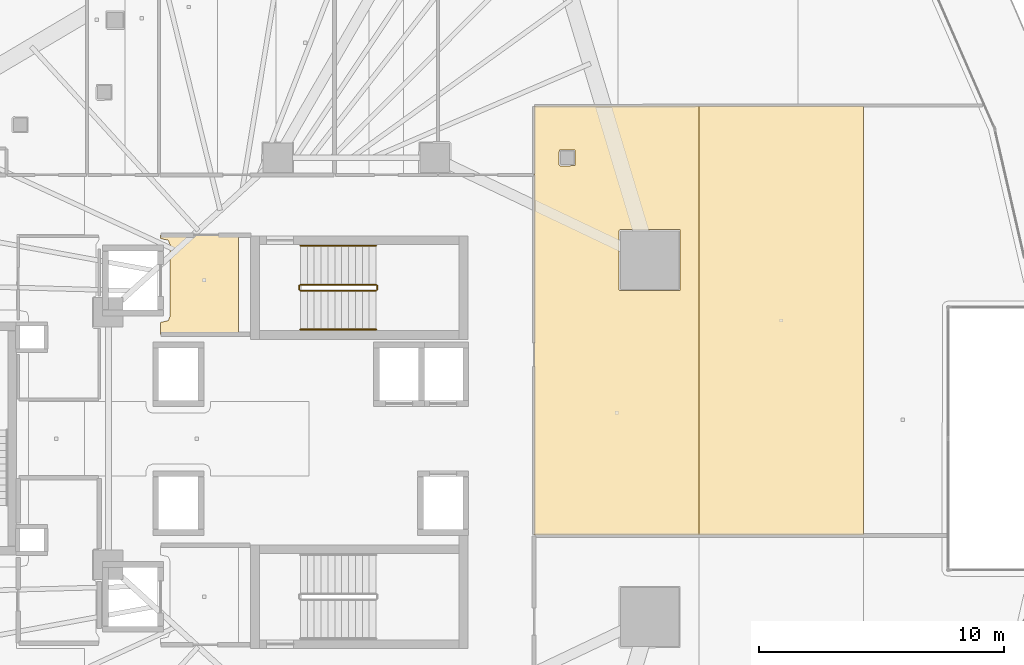
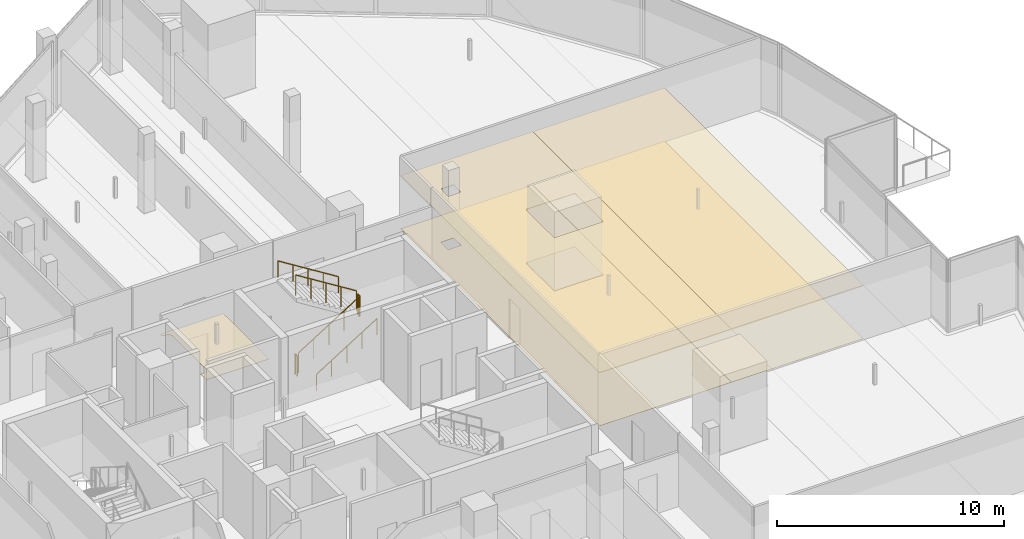
# One storey, part 43 of 44: 6 railings, 5 coverings.
"""IFC4 building model written with IfcOpenShell, lengths in metres."""

from ifc_helpers import new_model, si_unit, direction, frame, origin, origin_2d, place, context, subcontext, project, spatial, polyline, circle, outline, extrude, material, layer, layer_set, type_object, element, save


model = new_model("IFC4")

# Units and contexts
model_context = context("Model", 3, precision=1e-05, world=origin(), true_north=direction((0.0, 1.0)))
body_context = subcontext(model_context, "Body", "Model", "MODEL_VIEW")
ifc_project = project(units=[si_unit("LENGTHUNIT", "METRE"), si_unit("AREAUNIT", "SQUARE_METRE"), si_unit("VOLUMEUNIT", "CUBIC_METRE"), si_unit("PLANEANGLEUNIT", "RADIAN"), si_unit("MASSUNIT", "GRAM", prefix="KILO")], contexts=[model_context])

# Site, building, storey
site_placement = place(None, origin())
site = spatial("IfcSite", under=ifc_project, at=site_placement, CompositionType="ELEMENT")
building_placement = place(site_placement, origin())
building = spatial("IfcBuilding", under=site, at=building_placement, Name="Qorvath Tower", CompositionType="ELEMENT")
storey_placement = place(building_placement, frame((0.0, 0.0, 45.0)))
storey = spatial("IfcBuildingStorey", under=building, at=storey_placement, Name="L09", CompositionType="ELEMENT", Elevation=45.0)

# Coverings
ifc_material_1 = material(Name="Acoustic mineral fibre ceiling tile", Category="gypsum")
ifc_layer_1 = layer(ifc_material_1, 0.030029296875)
ifc_layer_set_1 = layer_set([ifc_layer_1], Name="COV-CEIL")
covering_type_1 = type_object("IfcCoveringType", Name="COV-CEIL", PredefinedType="CEILING", material=ifc_layer_set_1)
covering_1_placement = place(storey_placement, frame((0.0, 0.0, 2.85009765625)))
element("IfcCovering", 1, at=covering_1_placement, inside=storey, type_object=covering_type_1, Name="L09 Suspended Acoustic Ceiling 001", PredefinedType="CEILING", context=body_context, shape_type="SweptSolid", body=[
    extrude(outline(polyline([(-25.18994140625, 4.2548828125), (-25.18994140625, 8.294921875), (-28.375, 8.294921875), (-28.375, 8.159912109375), (-28.063232421875, 8.086669921875), (-27.989990234375, 7.909912109375), (-27.989990234375, 4.989990234375), (-28.063232421875, 4.813232421875), (-28.375, 4.739990234375), (-28.375, 4.2548828125), (-25.18994140625, 4.2548828125)])), origin(), (0.0, 0.0, 1.0), 0.030029296875),
])
covering_2_placement = place(storey_placement, frame((0.0, 0.0, 2.85009765625)))
element("IfcCovering", 2, at=covering_2_placement, inside=storey, type_object=covering_type_1, Name="L09 Suspended Acoustic Ceiling 036", PredefinedType="CEILING", context=body_context, shape_type="SweptSolid", body=[
    extrude(outline(polyline([(-6.4267578125, -3.92822265625), (-6.4267578125, 13.56201171875), (-13.136962890625, 13.5537109375), (-13.136962890625, -3.92822265625), (-6.4267578125, -3.92822265625)]), holes=[polyline([(-9.690185546875, 8.476318359375), (-9.63037109375, 8.536376953125), (-7.18798828125, 8.518798828125), (-7.18798828125, 6.033935546875), (-9.672607421875, 6.033935546875), (-9.690185546875, 8.476318359375)]), polyline([(-12.135009765625, 11.175048828125), (-12.117431640625, 11.767333984375), (-11.482666015625, 11.767333984375), (-11.482666015625, 11.132568359375), (-12.074951171875, 11.114990234375), (-12.135009765625, 11.175048828125)])]), origin(), (0.0, 0.0, 1.0), 0.030029296875),
])
covering_3_placement = place(storey_placement, frame((0.0, 0.0, 2.85009765625)))
element("IfcCovering", 3, at=covering_3_placement, inside=storey, type_object=covering_type_1, Name="L09 Suspended Acoustic Ceiling 037", PredefinedType="CEILING", context=body_context, shape_type="SweptSolid", body=[
    extrude(outline(polyline([(0.283447265625, -3.92822265625), (0.283447265625, 13.5703125), (-6.4267578125, 13.56201171875), (-6.4267578125, -3.92822265625), (0.283447265625, -3.92822265625)])), origin(), (0.0, 0.0, 1.0), 0.030029296875),
])
ifc_material_2 = material(Name="Low-VOC modular carpet tile", Category="textile")
ifc_layer_2 = layer(ifc_material_2, 0.014892578125)
ifc_layer_set_2 = layer_set([ifc_layer_2], Name="COV-FLOOR-CPT")
covering_type_2 = type_object("IfcCoveringType", Name="COV-FLOOR-CPT", PredefinedType="FLOORING", material=ifc_layer_set_2)
covering_4_placement = place(storey_placement, origin())
element("IfcCovering", 4, at=covering_4_placement, inside=storey, type_object=covering_type_2, Name="L09 Floor Finish 036", PredefinedType="FLOORING", context=body_context, shape_type="SweptSolid", body=[
    extrude(outline(polyline([(-6.4267578125, -3.92822265625), (-6.4267578125, 13.56201171875), (-13.136962890625, 13.5537109375), (-13.136962890625, -3.92822265625), (-6.4267578125, -3.92822265625)]), holes=[polyline([(-9.690185546875, 8.476318359375), (-9.63037109375, 8.536376953125), (-7.18798828125, 8.518798828125), (-7.18798828125, 6.033935546875), (-9.672607421875, 6.033935546875), (-9.690185546875, 8.476318359375)]), polyline([(-12.135009765625, 11.175048828125), (-12.117431640625, 11.767333984375), (-11.482666015625, 11.767333984375), (-11.482666015625, 11.132568359375), (-12.074951171875, 11.114990234375), (-12.135009765625, 11.175048828125)])]), origin(), (0.0, 0.0, 1.0), 0.014892578125),
])
covering_5_placement = place(storey_placement, origin())
element("IfcCovering", 5, at=covering_5_placement, inside=storey, type_object=covering_type_2, Name="L09 Floor Finish 037", PredefinedType="FLOORING", context=body_context, shape_type="SweptSolid", body=[
    extrude(outline(polyline([(0.283447265625, -3.92822265625), (0.283447265625, 13.5703125), (-6.4267578125, 13.56201171875), (-6.4267578125, -3.92822265625), (0.283447265625, -3.92822265625)])), origin(), (0.0, 0.0, 1.0), 0.014892578125),
])

# Railings
ifc_material_3 = material(Name="Painted galvanised steel", Category="steel")
railing_type_1 = type_object("IfcRailingType", Name="RL-STR-GRD", PredefinedType="GUARDRAIL", material=ifc_material_3)
railing_1_placement = place(storey_placement, frame((-22.669921875, 6.030029296875, 0.175048828125)))
element("IfcRailing", 6, at=railing_1_placement, inside=storey, type_object=railing_type_1, Name="L09 TS1 stair guard 1", PredefinedType="GUARDRAIL", context=body_context, shape_type="SweptSolid", body=[
    extrude(circle(Radius=0.02392578125, at=origin_2d()), frame((0.0, 0.0, 1.076171875), z_axis=(0.847979421464, 0.0, 0.530029150871), x_axis=(0.0, 1.0, 0.0)), (0.0, 0.0, 1.0), 3.632080078125),
    extrude(circle(Radius=0.02099609375, at=origin_2d()), origin(), (0.0, 0.0, 1.0), 1.052001953125),
    extrude(circle(Radius=0.02099609375, at=origin_2d()), frame((0.77001953125, 0.0, 0.481201171875)), (0.0, 0.0, 1.0), 1.052001953125),
    extrude(circle(Radius=0.02099609375, at=origin_2d()), frame((1.5400390625, 0.0, 0.96240234375)), (0.0, 0.0, 1.0), 1.052001953125),
    extrude(circle(Radius=0.02099609375, at=origin_2d()), frame((2.309814453125, 0.0, 1.44384765625)), (0.0, 0.0, 1.0), 1.052001953125),
    extrude(circle(Radius=0.02099609375, at=origin_2d()), frame((3.079833984375, 0.0, 1.925048828125)), (0.0, 0.0, 1.0), 1.052001953125),
])
railing_2_placement = place(storey_placement, frame((-19.5400390625, 6.080078125, 2.10009765625)))
element("IfcRailing", 7, at=railing_2_placement, inside=storey, type_object=railing_type_1, Name="L09 TS1 stair guard 2", PredefinedType="GUARDRAIL", context=body_context, shape_type="SweptSolid", body=[
    extrude(circle(Radius=0.02392578125, at=origin_2d()), frame((0.0, 0.0, 1.076171875), z_axis=(0.0, 1.0, 0.0), x_axis=(-1.0, 0.0, 0.0)), (0.0, 0.0, 1.0), 0.14990234375),
    extrude(circle(Radius=0.02099609375, at=origin_2d()), origin(), (0.0, 0.0, 1.0), 1.052001953125),
    extrude(circle(Radius=0.02099609375, at=origin_2d()), frame((0.0, 0.14990234375, 0.0)), (0.0, 0.0, 1.0), 1.052001953125),
])
railing_3_placement = place(storey_placement, frame((-19.590087890625, 6.280029296875, 2.27490234375)))
element("IfcRailing", 8, at=railing_3_placement, inside=storey, type_object=railing_type_1, Name="L09 TS1 stair guard 3", PredefinedType="GUARDRAIL", context=body_context, shape_type="SweptSolid", body=[
    extrude(circle(Radius=0.02392578125, at=origin_2d()), frame((0.0, 0.0, 1.076171875), z_axis=(-0.847979421464, 0.0, 0.530029150871), x_axis=(0.0, -1.0, 0.0)), (0.0, 0.0, 1.0), 3.632080078125),
    extrude(circle(Radius=0.02099609375, at=origin_2d()), origin(), (0.0, 0.0, 1.0), 1.052001953125),
    extrude(circle(Radius=0.02099609375, at=origin_2d()), frame((-0.77001953125, 0.0, 0.481201171875)), (0.0, 0.0, 1.0), 1.052001953125),
    extrude(circle(Radius=0.02099609375, at=origin_2d()), frame((-1.5400390625, 0.0, 0.96240234375)), (0.0, 0.0, 1.0), 1.052001953125),
    extrude(circle(Radius=0.02099609375, at=origin_2d()), frame((-2.309814453125, 0.0, 1.44384765625)), (0.0, 0.0, 1.0), 1.052001953125),
    extrude(circle(Radius=0.02099609375, at=origin_2d()), frame((-3.079833984375, 0.0, 1.925048828125)), (0.0, 0.0, 1.0), 1.052001953125),
])
railing_4_placement = place(storey_placement, frame((-22.719970703125, 6.080078125, 0.0)))
element("IfcRailing", 9, at=railing_4_placement, inside=storey, type_object=railing_type_1, Name="L09 TS1 stair guard 4", PredefinedType="GUARDRAIL", context=body_context, shape_type="SweptSolid", body=[
    extrude(circle(Radius=0.02392578125, at=origin_2d()), frame((0.0, 0.0, 1.076171875), z_axis=(0.0, 1.0, 0.0), x_axis=(-1.0, 0.0, 0.0)), (0.0, 0.0, 1.0), 0.14990234375),
    extrude(circle(Radius=0.02099609375, at=origin_2d()), origin(), (0.0, 0.0, 1.0), 1.052001953125),
    extrude(circle(Radius=0.02099609375, at=origin_2d()), frame((0.0, 0.14990234375, 0.0)), (0.0, 0.0, 1.0), 1.052001953125),
])
ifc_material_4 = material(Name="Brushed stainless steel AISI 304", Category="steel")
railing_type_2 = type_object("IfcRailingType", Name="RL-STR-HND", PredefinedType="HANDRAIL", material=ifc_material_4)
railing_5_placement = place(storey_placement, frame((-22.669921875, 4.449951171875, 0.175048828125)))
element("IfcRailing", 10, at=railing_5_placement, inside=storey, type_object=railing_type_2, Name="L09 TS1 stair handrail 1", PredefinedType="HANDRAIL", context=body_context, shape_type="SweptSolid", body=[
    extrude(circle(Radius=0.02392578125, at=origin_2d()), frame((0.0, 0.0, 0.8759765625), z_axis=(0.847979421464, 0.0, 0.530029150871), x_axis=(0.0, 1.0, 0.0)), (0.0, 0.0, 1.0), 3.632080078125),
    extrude(circle(Radius=0.02099609375, at=origin_2d()), origin(), (0.0, 0.0, 1.0), 0.851806640625),
    extrude(circle(Radius=0.02099609375, at=origin_2d()), frame((0.77001953125, 0.0, 0.481201171875)), (0.0, 0.0, 1.0), 0.851806640625),
    extrude(circle(Radius=0.02099609375, at=origin_2d()), frame((1.5400390625, 0.0, 0.96240234375)), (0.0, 0.0, 1.0), 0.851806640625),
    extrude(circle(Radius=0.02099609375, at=origin_2d()), frame((2.309814453125, 0.0, 1.44384765625)), (0.0, 0.0, 1.0), 0.851806640625),
    extrude(circle(Radius=0.02099609375, at=origin_2d()), frame((3.079833984375, 0.0, 1.925048828125)), (0.0, 0.0, 1.0), 0.851806640625),
])
railing_6_placement = place(storey_placement, frame((-19.590087890625, 7.860107421875, 2.27490234375)))
element("IfcRailing", 11, at=railing_6_placement, inside=storey, type_object=railing_type_2, Name="L09 TS1 stair handrail 2", PredefinedType="HANDRAIL", context=body_context, shape_type="SweptSolid", body=[
    extrude(circle(Radius=0.02392578125, at=origin_2d()), frame((0.0, 0.0, 0.8759765625), z_axis=(-0.847979421464, 0.0, 0.530029150871), x_axis=(0.0, -1.0, 0.0)), (0.0, 0.0, 1.0), 3.632080078125),
    extrude(circle(Radius=0.02099609375, at=origin_2d()), origin(), (0.0, 0.0, 1.0), 0.851806640625),
    extrude(circle(Radius=0.02099609375, at=origin_2d()), frame((-0.77001953125, 0.0, 0.481201171875)), (0.0, 0.0, 1.0), 0.851806640625),
    extrude(circle(Radius=0.02099609375, at=origin_2d()), frame((-1.5400390625, 0.0, 0.96240234375)), (0.0, 0.0, 1.0), 0.851806640625),
    extrude(circle(Radius=0.02099609375, at=origin_2d()), frame((-2.309814453125, 0.0, 1.44384765625)), (0.0, 0.0, 1.0), 0.851806640625),
    extrude(circle(Radius=0.02099609375, at=origin_2d()), frame((-3.079833984375, 0.0, 1.925048828125)), (0.0, 0.0, 1.0), 0.851806640625),
])

save(model, "model.ifc")
